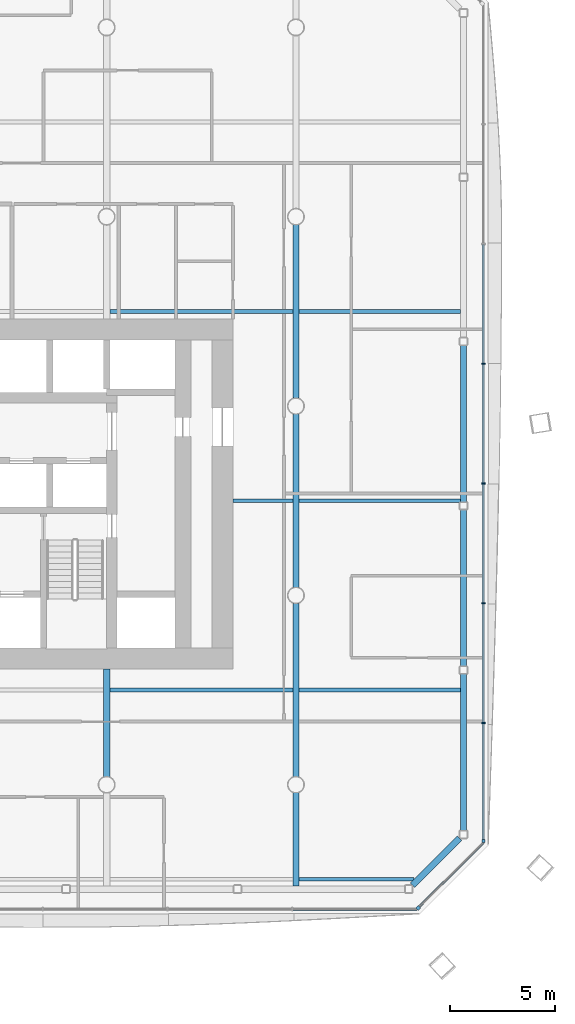
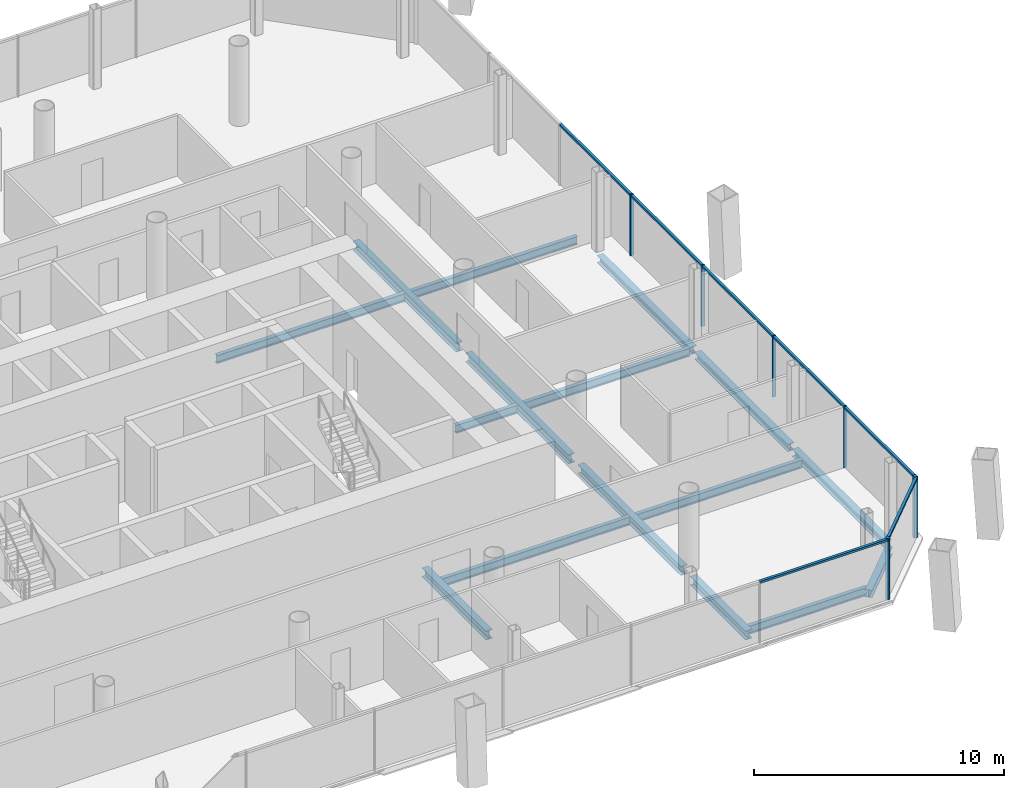
# One storey, part 6 of 19: 16 beams, 13 members, 3 elements without a shape of their own.
"""IFC4 building model written with IfcOpenShell, lengths in metres."""

from ifc_helpers import new_model, si_unit, direction, frame, origin, origin_2d, place, context, subcontext, project, spatial, rectangle, i_section, extrude, material, material_profile, profile_set, type_object, element, aggregate, save


model = new_model("IFC4")

# Units and contexts
model_context = context("Model", 3, precision=1e-05, world=origin(), true_north=direction((0.0, 1.0)))
body_context = subcontext(model_context, "Body", "Model", "MODEL_VIEW")
ifc_project = project(units=[si_unit("LENGTHUNIT", "METRE"), si_unit("AREAUNIT", "SQUARE_METRE"), si_unit("VOLUMEUNIT", "CUBIC_METRE"), si_unit("PLANEANGLEUNIT", "RADIAN"), si_unit("MASSUNIT", "GRAM", prefix="KILO")], contexts=[model_context])

# Site, building, storey
site_placement = place(None, origin())
site = spatial("IfcSite", under=ifc_project, at=site_placement, CompositionType="ELEMENT")
building_placement = place(site_placement, origin())
building = spatial("IfcBuilding", under=site, at=building_placement, Name="Tskaro Facet Tower", CompositionType="ELEMENT")
storey_placement = place(building_placement, frame((0.0, 0.0, 105.0)))
storey = spatial("IfcBuildingStorey", under=building, at=storey_placement, Name="L25", CompositionType="ELEMENT", Elevation=105.0)

# Curtain wall, member
ifc_material_1 = material(Name="Bronze anodised aluminium 6063-T6", Category="aluminium")
curtain_wall_type = type_object("IfcCurtainWallType", Name="Bronze office curtain wall (FW1)", PredefinedType="NOTDEFINED", material=ifc_material_1)
curtain_wall_1_placement = place(storey_placement, origin())
curtain_wall_1 = element("IfcCurtainWall", 1, at=curtain_wall_1_placement, inside=storey, type_object=curtain_wall_type, Name="FW1 south-east facet L25", PredefinedType="NOTDEFINED")
ifc_material_profile_1 = material_profile(ifc_material_1, rectangle(XDim=0.159912109375, YDim=0.159912109375, at=origin_2d()), Name="Corner post 160x160")
ifc_profile_set_1 = profile_set([ifc_material_profile_1], Name="Bronze anodised aluminium 6063-T6")
member_type_1 = type_object("IfcMemberType", Name="FW1 bronze corner post 160x160", PredefinedType="MULLION", material=ifc_profile_set_1)
member_1_placement = place(storey_placement, frame((23.8134765625, -23.8583984375, 0.0), z_axis=(0.0, 0.0, 1.0), x_axis=(0.707106781187, 0.707106781187, 0.0)))
member_1 = element("IfcMember", 2, at=member_1_placement, type_object=member_type_1, Name="FW1 south-east corner post", PredefinedType="MULLION", context=body_context, shape_type="SweptSolid", body=[
    extrude(rectangle(XDim=0.159912109375, YDim=0.159912109375, at=origin_2d()), origin(), (0.0, 0.0, 1.0), 2.989990234375),
])

# Curtain wall, members
curtain_wall_2_placement = place(storey_placement, origin())
curtain_wall_2 = element("IfcCurtainWall", 3, at=curtain_wall_2_placement, inside=storey, type_object=curtain_wall_type, Name="FW1 east facet L25", PredefinedType="NOTDEFINED")
member_2_placement = place(storey_placement, frame((26.9150390625, -20.677001953125, 0.0), z_axis=(0.0, 0.0, 1.0), x_axis=(0.0, 1.0, 0.0)))
member_2 = element("IfcMember", 4, at=member_2_placement, type_object=member_type_1, Name="FW1 east corner post", PredefinedType="MULLION", context=body_context, shape_type="SweptSolid", body=[
    extrude(rectangle(XDim=0.159912109375, YDim=0.159912109375, at=origin_2d()), origin(), (0.0, 0.0, 1.0), 2.989990234375),
])
ifc_material_profile_2 = material_profile(ifc_material_1, rectangle(XDim=0.06005859375, YDim=0.159912109375, at=origin_2d()), Name="Mullion 60x160")
ifc_profile_set_2 = profile_set([ifc_material_profile_2], Name="Bronze anodised aluminium 6063-T6")
member_type_2 = type_object("IfcMemberType", Name="FW1 bronze mullion 60x160", PredefinedType="MULLION", material=ifc_profile_set_2)
member_3_placement = place(storey_placement, frame((26.9150390625, -15.065673828125, 0.0), z_axis=(0.0, 0.0, 1.0), x_axis=(0.0, 1.0, 0.0)))
member_3 = element("IfcMember", 5, at=member_3_placement, type_object=member_type_2, Name="FW1 east mullion 1", PredefinedType="MULLION", context=body_context, shape_type="SweptSolid", body=[
    extrude(rectangle(XDim=0.06005859375, YDim=0.159912109375, at=origin_2d()), origin(), (0.0, 0.0, 1.0), 2.989990234375),
])
member_4_placement = place(storey_placement, frame((26.9150390625, -9.3740234375, 0.0), z_axis=(0.0, 0.0, 1.0), x_axis=(0.0, 1.0, 0.0)))
member_4 = element("IfcMember", 6, at=member_4_placement, type_object=member_type_2, Name="FW1 east mullion 2", PredefinedType="MULLION", context=body_context, shape_type="SweptSolid", body=[
    extrude(rectangle(XDim=0.06005859375, YDim=0.159912109375, at=origin_2d()), origin(), (0.0, 0.0, 1.0), 2.989990234375),
])
member_5_placement = place(storey_placement, frame((26.9150390625, -3.6826171875, 0.0), z_axis=(0.0, 0.0, 1.0), x_axis=(0.0, 1.0, 0.0)))
member_5 = element("IfcMember", 7, at=member_5_placement, type_object=member_type_2, Name="FW1 east mullion 3", PredefinedType="MULLION", context=body_context, shape_type="SweptSolid", body=[
    extrude(rectangle(XDim=0.06005859375, YDim=0.159912109375, at=origin_2d()), origin(), (0.0, 0.0, 1.0), 2.989990234375),
])
member_6_placement = place(storey_placement, frame((26.9150390625, 2.0087890625, 0.0), z_axis=(0.0, 0.0, 1.0), x_axis=(0.0, 1.0, 0.0)))
member_6 = element("IfcMember", 8, at=member_6_placement, type_object=member_type_2, Name="FW1 east mullion 4", PredefinedType="MULLION", context=body_context, shape_type="SweptSolid", body=[
    extrude(rectangle(XDim=0.06005859375, YDim=0.159912109375, at=origin_2d()), origin(), (0.0, 0.0, 1.0), 2.989990234375),
])

# Curtain wall, member
curtain_wall_3_placement = place(storey_placement, origin())
curtain_wall_3 = element("IfcCurtainWall", 9, at=curtain_wall_3_placement, inside=storey, type_object=curtain_wall_type, Name="FW1 south facet L25", PredefinedType="NOTDEFINED")
ifc_material_profile_3 = material_profile(ifc_material_1, rectangle(XDim=0.1201171875, YDim=0.10009765625, at=origin_2d()), Name="Transom 120x100")
ifc_profile_set_3 = profile_set([ifc_material_profile_3], Name="Bronze anodised aluminium 6063-T6")
member_type_3 = type_object("IfcMemberType", Name="FW1 bronze transom 120x100", PredefinedType="USERDEFINED", material=ifc_profile_set_3)
member_7_placement = place(storey_placement, frame((17.8564453125, -23.9150390625, 2.93994140625), z_axis=(1.0, 0.0, 0.0), x_axis=(0.0, 1.0, 0.0)))
member_7 = element("IfcMember", 10, at=member_7_placement, type_object=member_type_3, Name="FW1 south transom 7.1", ObjectType="TRANSOM", PredefinedType="USERDEFINED", context=body_context, shape_type="SweptSolid", body=[
    extrude(rectangle(XDim=0.1201171875, YDim=0.10009765625, at=origin_2d()), origin(), (0.0, 0.0, 1.0), 5.900634765625),
])
aggregate(curtain_wall_3, [member_7])

# Member
member_8_placement = place(storey_placement, frame((23.8701171875, -23.8017578125, 2.93994140625), z_axis=(0.707135129525, 0.707078431712, 0.0), x_axis=(-0.707078431712, 0.707135129525, 0.0)))
member_8 = element("IfcMember", 11, at=member_8_placement, type_object=member_type_3, Name="FW1 south-east transom 1.1", ObjectType="TRANSOM", PredefinedType="USERDEFINED", context=body_context, shape_type="SweptSolid", body=[
    extrude(rectangle(XDim=0.1201171875, YDim=0.10009765625, at=origin_2d()), origin(), (0.0, 0.0, 1.0), 4.305908203125),
])

aggregate(curtain_wall_1, [member_1, member_8])

member_9_placement = place(storey_placement, frame((26.9150390625, -20.596923828125, 2.93994140625), z_axis=(0.0, 1.0, 0.0), x_axis=(-1.0, 0.0, 0.0)))
member_9 = element("IfcMember", 12, at=member_9_placement, type_object=member_type_3, Name="FW1 east transom 1.1", ObjectType="TRANSOM", PredefinedType="USERDEFINED", context=body_context, shape_type="SweptSolid", body=[
    extrude(rectangle(XDim=0.1201171875, YDim=0.10009765625, at=origin_2d()), origin(), (0.0, 0.0, 1.0), 5.50146484375),
])

member_10_placement = place(storey_placement, frame((26.9150390625, -15.03564453125, 2.93994140625), z_axis=(0.0, 1.0, 0.0), x_axis=(-1.0, 0.0, 0.0)))
member_10 = element("IfcMember", 13, at=member_10_placement, type_object=member_type_3, Name="FW1 east transom 2.1", ObjectType="TRANSOM", PredefinedType="USERDEFINED", context=body_context, shape_type="SweptSolid", body=[
    extrude(rectangle(XDim=0.1201171875, YDim=0.10009765625, at=origin_2d()), origin(), (0.0, 0.0, 1.0), 5.631591796875),
])

member_11_placement = place(storey_placement, frame((26.9150390625, -9.34423828125, 2.93994140625), z_axis=(0.0, 1.0, 0.0), x_axis=(-1.0, 0.0, 0.0)))
member_11 = element("IfcMember", 14, at=member_11_placement, type_object=member_type_3, Name="FW1 east transom 3.1", ObjectType="TRANSOM", PredefinedType="USERDEFINED", context=body_context, shape_type="SweptSolid", body=[
    extrude(rectangle(XDim=0.1201171875, YDim=0.10009765625, at=origin_2d()), origin(), (0.0, 0.0, 1.0), 5.631591796875),
])

member_12_placement = place(storey_placement, frame((26.9150390625, -3.65283203125, 2.93994140625), z_axis=(0.0, 1.0, 0.0), x_axis=(-1.0, 0.0, 0.0)))
member_12 = element("IfcMember", 15, at=member_12_placement, type_object=member_type_3, Name="FW1 east transom 4.1", ObjectType="TRANSOM", PredefinedType="USERDEFINED", context=body_context, shape_type="SweptSolid", body=[
    extrude(rectangle(XDim=0.1201171875, YDim=0.10009765625, at=origin_2d()), origin(), (0.0, 0.0, 1.0), 5.631591796875),
])

member_13_placement = place(storey_placement, frame((26.9150390625, 2.038818359375, 2.93994140625), z_axis=(0.0, 1.0, 0.0), x_axis=(-1.0, 0.0, 0.0)))
member_13 = element("IfcMember", 16, at=member_13_placement, type_object=member_type_3, Name="FW1 east transom 5.1", ObjectType="TRANSOM", PredefinedType="USERDEFINED", context=body_context, shape_type="SweptSolid", body=[
    extrude(rectangle(XDim=0.1201171875, YDim=0.10009765625, at=origin_2d()), origin(), (0.0, 0.0, 1.0), 5.63134765625),
])

aggregate(curtain_wall_2, [member_2, member_3, member_4, member_5, member_6, member_9, member_10, member_11, member_12, member_13])

# Beams
ifc_material_2 = material(Name="Steel S355J2", Category="steel")
ifc_material_profile_4 = material_profile(ifc_material_2, i_section(OverallWidth=0.300048828125, OverallDepth=0.360107421875, WebThickness=0.012451171875, FlangeThickness=0.0224609375, FilletRadius=0.027099609375, at=origin_2d()), Name="HE 360 B")
ifc_profile_set_4 = profile_set([ifc_material_profile_4], Name="Steel S355J2")
beam_type_1 = type_object("IfcBeamType", Name="HE 360 B ring beam", PredefinedType="BEAM", material=ifc_profile_set_4)
beam_1_placement = place(storey_placement, frame((23.5498046875, -22.779052734375, -0.320068359375), z_axis=(0.707106781187, 0.707106781187, 0.0), x_axis=(-0.707106781187, 0.707106781187, 0.0)))
element("IfcBeam", 17, at=beam_1_placement, inside=storey, type_object=beam_type_1, Name="HE 360 B EB6-2", PredefinedType="BEAM", context=body_context, shape_type="SweptSolid", body=[
    extrude(i_section(OverallWidth=0.300048828125, OverallDepth=0.360107421875, WebThickness=0.012451171875, FlangeThickness=0.0224609375, FilletRadius=0.027099609375, at=origin_2d()), origin(), (0.0, 0.0, 1.0), 3.152587890625),
])
beam_2_placement = place(storey_placement, frame((25.965087890625, -20.18408203125, -0.320068359375), z_axis=(0.0, 1.0, 0.0), x_axis=(-1.0, 0.0, 0.0)))
element("IfcBeam", 18, at=beam_2_placement, inside=storey, type_object=beam_type_1, Name="HE 360 B EB7-2", PredefinedType="BEAM", context=body_context, shape_type="SweptSolid", body=[
    extrude(i_section(OverallWidth=0.300048828125, OverallDepth=0.360107421875, WebThickness=0.012451171875, FlangeThickness=0.0224609375, FilletRadius=0.027099609375, at=origin_2d()), origin(), (0.0, 0.0, 1.0), 7.451171875),
])
beam_3_placement = place(storey_placement, frame((25.965087890625, -12.373046875, -0.320068359375), z_axis=(0.0, 1.0, 0.0), x_axis=(-1.0, 0.0, 0.0)))
element("IfcBeam", 19, at=beam_3_placement, inside=storey, type_object=beam_type_1, Name="HE 360 B EB8-2", PredefinedType="BEAM", context=body_context, shape_type="SweptSolid", body=[
    extrude(i_section(OverallWidth=0.300048828125, OverallDepth=0.360107421875, WebThickness=0.012451171875, FlangeThickness=0.0224609375, FilletRadius=0.027099609375, at=origin_2d()), origin(), (0.0, 0.0, 1.0), 7.450927734375),
])
beam_4_placement = place(storey_placement, frame((25.965087890625, -4.56201171875, -0.320068359375), z_axis=(0.0, 1.0, 0.0), x_axis=(-1.0, 0.0, 0.0)))
element("IfcBeam", 20, at=beam_4_placement, inside=storey, type_object=beam_type_1, Name="HE 360 B EB9-2", PredefinedType="BEAM", context=body_context, shape_type="SweptSolid", body=[
    extrude(i_section(OverallWidth=0.300048828125, OverallDepth=0.360107421875, WebThickness=0.012451171875, FlangeThickness=0.0224609375, FilletRadius=0.027099609375, at=origin_2d()), origin(), (0.0, 0.0, 1.0), 7.449951171875),
])
ifc_material_profile_5 = material_profile(ifc_material_2, i_section(OverallWidth=0.300048828125, OverallDepth=0.43994140625, WebThickness=0.011474609375, FlangeThickness=0.02099609375, FilletRadius=0.027099609375, at=origin_2d()), Name="HE 450 A")
ifc_profile_set_5 = profile_set([ifc_material_profile_5], Name="Steel S355J2")
beam_type_2 = type_object("IfcBeamType", Name="HE 450 A girder", PredefinedType="BEAM", material=ifc_profile_set_5)
beam_5_placement = place(storey_placement, frame((9.0, -17.62353515625, -0.360107421875), z_axis=(0.0, 1.0, 0.0), x_axis=(-1.0, 0.0, 0.0)))
element("IfcBeam", 21, at=beam_5_placement, inside=storey, type_object=beam_type_2, Name="HE 450 A GB5-2-2", PredefinedType="BEAM", context=body_context, shape_type="SweptSolid", body=[
    extrude(i_section(OverallWidth=0.300048828125, OverallDepth=0.43994140625, WebThickness=0.011474609375, FlangeThickness=0.02099609375, FilletRadius=0.027099609375, at=origin_2d()), origin(), (0.0, 0.0, 1.0), 5.12353515625),
])
beam_6_placement = place(storey_placement, frame((18.0, -22.81494140625, -0.360107421875), z_axis=(0.0, 1.0, 0.0), x_axis=(-1.0, 0.0, 0.0)))
element("IfcBeam", 22, at=beam_6_placement, inside=storey, type_object=beam_type_2, Name="HE 450 A GB6-1-2", PredefinedType="BEAM", context=body_context, shape_type="SweptSolid", body=[
    extrude(i_section(OverallWidth=0.300048828125, OverallDepth=0.43994140625, WebThickness=0.011474609375, FlangeThickness=0.02099609375, FilletRadius=0.027099609375, at=origin_2d()), origin(), (0.0, 0.0, 1.0), 4.4384765625),
])
for number, where, z_axis, x_axis, name in (
    (23, (18.0, -17.62353515625, -0.360107421875), (0.0, 1.0, 0.0), (-1.0, 0.0, 0.0), "HE 450 A GB6-2-2"),
    (24, (18.0, -8.62353515625, -0.360107421875), (0.0, 1.0, 0.0), (-1.0, 0.0, 0.0), "HE 450 A GB6-3-2"),
    (25, (18.0, 0.37646484375, -0.360107421875), (0.0, 1.0, 0.0), (-1.0, 0.0, 0.0), "HE 450 A GB6-4-2"),
):
    element("IfcBeam", number, at=place(storey_placement, frame(where, z_axis=z_axis, x_axis=x_axis)), inside=storey, type_object=beam_type_2, Name=name, PredefinedType="BEAM", context=body_context, shape_type="SweptSolid", body=[
        extrude(i_section(OverallWidth=0.300048828125, OverallDepth=0.43994140625, WebThickness=0.011474609375, FlangeThickness=0.02099609375, FilletRadius=0.027099609375, at=origin_2d()), origin(), (0.0, 0.0, 1.0), 8.2470703125),
    ])
ifc_material_profile_6 = material_profile(ifc_material_2, i_section(OverallWidth=0.179931640625, OverallDepth=0.39990234375, WebThickness=0.008544921875, FlangeThickness=0.013427734375, FilletRadius=0.02099609375, at=origin_2d()), Name="IPE 400")
ifc_profile_set_6 = profile_set([ifc_material_profile_6], Name="Steel S355J2")
beam_type_3 = type_object("IfcBeamType", Name="IPE 400 secondary beam", PredefinedType="BEAM", material=ifc_profile_set_6)
beam_7_placement = place(storey_placement, frame((18.14990234375, -22.5, -0.340087890625), z_axis=(1.0, 0.0, 0.0), x_axis=(0.0, 1.0, 0.0)))
element("IfcBeam", 26, at=beam_7_placement, inside=storey, type_object=beam_type_3, Name="IPE 400 SB1a-5-2", PredefinedType="BEAM", context=body_context, shape_type="SweptSolid", body=[
    extrude(i_section(OverallWidth=0.179931640625, OverallDepth=0.39990234375, WebThickness=0.008544921875, FlangeThickness=0.013427734375, FilletRadius=0.02099609375, at=origin_2d()), origin(), (0.0, 0.0, 1.0), 5.467041015625),
])
beam_8_placement = place(storey_placement, frame((9.14990234375, -13.5, -0.340087890625), z_axis=(1.0, 0.0, 0.0), x_axis=(0.0, 1.0, 0.0)))
element("IfcBeam", 27, at=beam_8_placement, inside=storey, type_object=beam_type_3, Name="IPE 400 SB2a-4-2", PredefinedType="BEAM", context=body_context, shape_type="SweptSolid", body=[
    extrude(i_section(OverallWidth=0.179931640625, OverallDepth=0.39990234375, WebThickness=0.008544921875, FlangeThickness=0.013427734375, FilletRadius=0.02099609375, at=origin_2d()), origin(), (0.0, 0.0, 1.0), 8.7001953125),
])
beam_9_placement = place(storey_placement, frame((18.14990234375, -13.5, -0.340087890625), z_axis=(1.0, 0.0, 0.0), x_axis=(0.0, 1.0, 0.0)))
element("IfcBeam", 28, at=beam_9_placement, inside=storey, type_object=beam_type_3, Name="IPE 400 SB2a-5-2", PredefinedType="BEAM", context=body_context, shape_type="SweptSolid", body=[
    extrude(i_section(OverallWidth=0.179931640625, OverallDepth=0.39990234375, WebThickness=0.008544921875, FlangeThickness=0.013427734375, FilletRadius=0.02099609375, at=origin_2d()), origin(), (0.0, 0.0, 1.0), 7.6650390625),
])
beam_10_placement = place(storey_placement, frame((15.0, -4.5, -0.340087890625), z_axis=(1.0, 0.0, 0.0), x_axis=(0.0, 1.0, 0.0)))
element("IfcBeam", 29, at=beam_10_placement, inside=storey, type_object=beam_type_3, Name="IPE 400 SB3a-2-2", PredefinedType="BEAM", context=body_context, shape_type="SweptSolid", body=[
    extrude(i_section(OverallWidth=0.179931640625, OverallDepth=0.39990234375, WebThickness=0.008544921875, FlangeThickness=0.013427734375, FilletRadius=0.02099609375, at=origin_2d()), origin(), (0.0, 0.0, 1.0), 2.85009765625),
])
beam_11_placement = place(storey_placement, frame((18.14990234375, -4.5, -0.340087890625), z_axis=(1.0, 0.0, 0.0), x_axis=(0.0, 1.0, 0.0)))
element("IfcBeam", 30, at=beam_11_placement, inside=storey, type_object=beam_type_3, Name="IPE 400 SB3a-3-2", PredefinedType="BEAM", context=body_context, shape_type="SweptSolid", body=[
    extrude(i_section(OverallWidth=0.179931640625, OverallDepth=0.39990234375, WebThickness=0.008544921875, FlangeThickness=0.013427734375, FilletRadius=0.02099609375, at=origin_2d()), origin(), (0.0, 0.0, 1.0), 7.6650390625),
])
beam_12_placement = place(storey_placement, frame((9.14990234375, 4.5, -0.340087890625), z_axis=(1.0, 0.0, 0.0), x_axis=(0.0, 1.0, 0.0)))
element("IfcBeam", 31, at=beam_12_placement, inside=storey, type_object=beam_type_3, Name="IPE 400 SB4a-4-2", PredefinedType="BEAM", context=body_context, shape_type="SweptSolid", body=[
    extrude(i_section(OverallWidth=0.179931640625, OverallDepth=0.39990234375, WebThickness=0.008544921875, FlangeThickness=0.013427734375, FilletRadius=0.02099609375, at=origin_2d()), origin(), (0.0, 0.0, 1.0), 8.7001953125),
])
beam_13_placement = place(storey_placement, frame((18.14990234375, 4.5, -0.340087890625), z_axis=(1.0, 0.0, 0.0), x_axis=(0.0, 1.0, 0.0)))
element("IfcBeam", 32, at=beam_13_placement, inside=storey, type_object=beam_type_3, Name="IPE 400 SB4a-5-2", PredefinedType="BEAM", context=body_context, shape_type="SweptSolid", body=[
    extrude(i_section(OverallWidth=0.179931640625, OverallDepth=0.39990234375, WebThickness=0.008544921875, FlangeThickness=0.013427734375, FilletRadius=0.02099609375, at=origin_2d()), origin(), (0.0, 0.0, 1.0), 7.6650390625),
])

save(model, "model.ifc")
